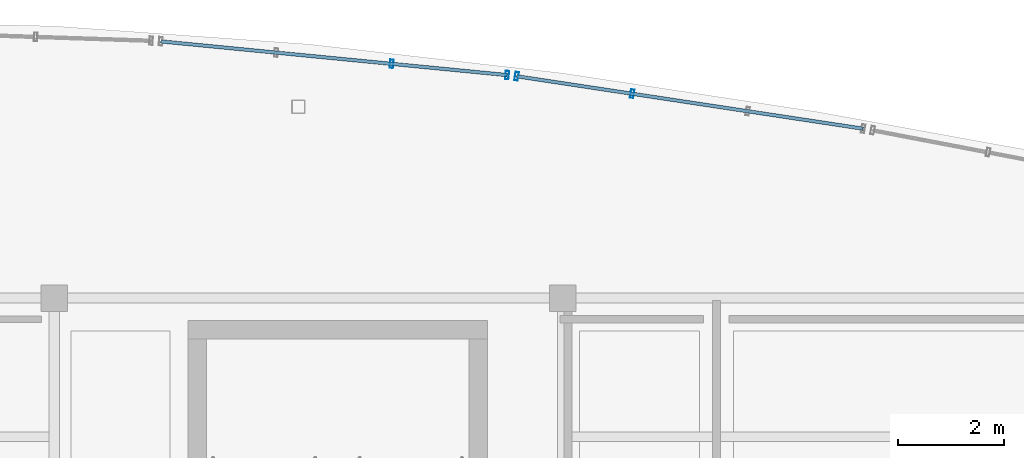
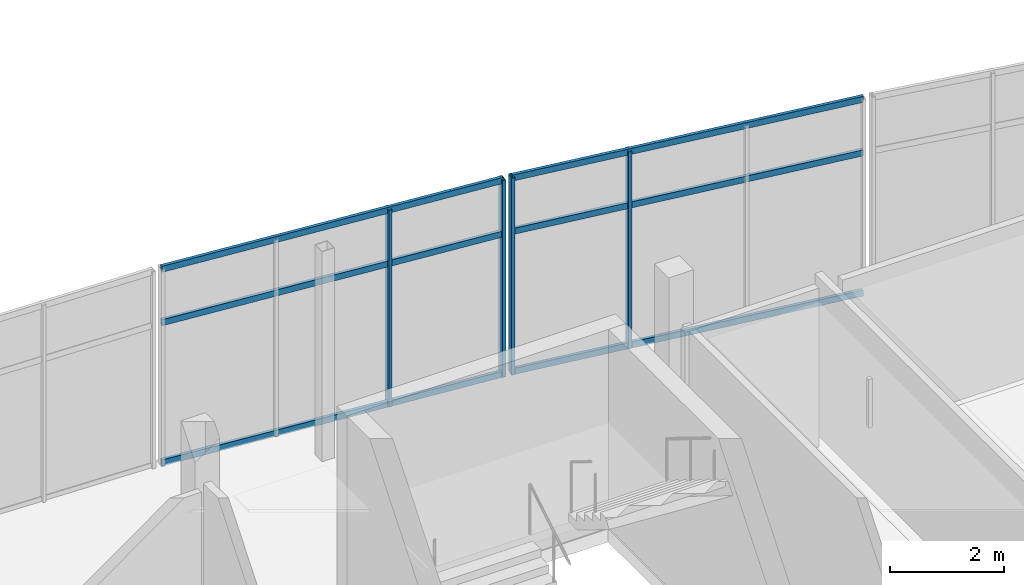
# One storey, part 78 of 114: 10 members, 2 elements without a shape of their own.
"""IFC4 building model written with IfcOpenShell, lengths in metres."""

import ifcopenshell
import ifcopenshell.guid

model = None  # the IFC model being written
_history = None  # IfcOwnerHistory: only IFC2X3 demands one
_inside = {}  # id of a spatial element -> (the spatial element, [elements in it])
_under = {}  # id of a project, library or spatial element -> (it, [spatial elements below it])
_declared = {}  # id of a project -> (the project, [libraries it declares])
_typed = {}  # id of a type object -> (the type object, [elements of that type])
_made_of = {}  # id of a material, layer set ... -> (it, [elements and type objects made of it])


def new_model(schema):
    """Start an empty IFC model of exactly this schema.

    Asked for "IFC4X3", IfcOpenShell would pick the latest addendum, in which some entities
    have other attributes; the version numbers below select the first issue.
    IFC2X3 requires an IfcOwnerHistory on every rooted entity: one is made here for all.
    """
    global model, _history
    if schema == "IFC4X3":
        model = ifcopenshell.file(schema_version=(4, 3, 0, 0))
    else:
        model = ifcopenshell.file(schema=schema)
    _inside.clear()
    _under.clear()
    _declared.clear()
    _typed.clear()
    _made_of.clear()
    _history = None
    if model.schema == "IFC2X3":
        org = make("IfcOrganization", Name="unknown")
        user = make(
            "IfcPersonAndOrganization",
            ThePerson=make("IfcPerson", FamilyName="unknown"),
            TheOrganization=org,
        )
        app = make(
            "IfcApplication",
            ApplicationDeveloper=org,
            Version="unknown",
            ApplicationFullName="unknown",
            ApplicationIdentifier="unknown",
        )
        _history = make(
            "IfcOwnerHistory",
            OwningUser=user,
            OwningApplication=app,
            ChangeAction="ADDED",
            CreationDate=0,
        )
    return model


def make(cls, **values):
    """One entity of the class cls with the attributes given. An attribute that is None is left unset."""
    return model.create_entity(
        cls, **{name: value for name, value in values.items() if value is not None}
    )


def rooted(cls, **values):
    """An entity with a GlobalId (a new one), such as an element, a storey or a relation."""
    return make(cls, GlobalId=ifcopenshell.guid.new(), OwnerHistory=_history, **values)


def si_unit(unit_type, name, prefix=None):
    """IfcSIUnit, for example si_unit("LENGTHUNIT", "METRE", prefix="MILLI")."""
    return make("IfcSIUnit", UnitType=unit_type, Prefix=prefix, Name=name)


def assignment(units):
    """IfcUnitAssignment: the units of a project."""
    return None if units is None else make("IfcUnitAssignment", Units=units)


def point(xyz):
    """IfcCartesianPoint."""
    return None if xyz is None else make("IfcCartesianPoint", Coordinates=xyz)


def direction(xyz):
    """IfcDirection."""
    return None if xyz is None else make("IfcDirection", DirectionRatios=xyz)


def frame(location, z_axis=None, x_axis=None):
    """IfcAxis2Placement3D, a coordinate frame: its origin and axes. An axis left out is left unset."""
    return make(
        "IfcAxis2Placement3D",
        Location=point(location),
        Axis=direction(z_axis),
        RefDirection=direction(x_axis),
    )


def frame_2d(location, x_axis=None):
    """IfcAxis2Placement2D, a coordinate frame in the plane: its origin and x axis."""
    return make(
        "IfcAxis2Placement2D", Location=point(location), RefDirection=direction(x_axis)
    )


def origin():
    """The frame at (0, 0, 0) with its axes left unset."""
    return frame((0.0, 0.0, 0.0))


def origin_2d():
    """The frame at (0, 0) in the plane with its x axis left unset."""
    return frame_2d((0.0, 0.0))


def place(relative_to, where):
    """IfcLocalPlacement: puts the frame where relative to a parent placement (None: the world)."""
    return make(
        "IfcLocalPlacement", PlacementRelTo=relative_to, RelativePlacement=where
    )


def context(
    kind, dimensions, precision=None, world=None, true_north=None, identifier=None
):
    """IfcGeometricRepresentationContext, for example the 3D "Model" context."""
    return make(
        "IfcGeometricRepresentationContext",
        ContextIdentifier=identifier,
        ContextType=kind,
        CoordinateSpaceDimension=dimensions,
        Precision=precision,
        WorldCoordinateSystem=world,
        TrueNorth=true_north,
    )


def subcontext(parent, identifier, kind, view, scale=None):
    """IfcGeometricRepresentationSubContext, for example "Body" below "Model"."""
    return make(
        "IfcGeometricRepresentationSubContext",
        ContextIdentifier=identifier,
        ContextType=kind,
        ParentContext=parent,
        TargetScale=scale,
        TargetView=view,
    )


def project(units=None, contexts=None):
    """IfcProject with its units and contexts."""
    return rooted(
        "IfcProject",
        Name="project",
        RepresentationContexts=contexts,
        UnitsInContext=assignment(units),
    )


def spatial(cls, under=None, at=None, **own):
    """A site, building, storey or space (cls), placed at a placement, below another one or the project."""
    s = rooted(cls, ObjectPlacement=at, **own)
    if under is not None:
        _under.setdefault(under.id(), (under, []))[1].append(s)
    return s


def profile(cls, at=None, kind="AREA", **sizes):
    """A parametric profile (cls). Its sizes go by their IFC names, for example OverallWidth=200.0."""
    return make(cls, ProfileType=kind, Position=at, **sizes)


def hollow_rectangle(**sizes):
    """IfcRectangleHollowProfileDef."""
    return profile("IfcRectangleHollowProfileDef", **sizes)


def extrude(swept, where, along, depth):
    """IfcExtrudedAreaSolid: the profile swept, set in the frame where, extruded along a direction by depth."""
    return make(
        "IfcExtrudedAreaSolid",
        SweptArea=swept,
        Position=where,
        ExtrudedDirection=direction(along),
        Depth=depth,
    )


def shape(context_of_items, identifier, shape_type, items):
    """IfcShapeRepresentation: the items that make up one representation, for example the "Body"."""
    return make(
        "IfcShapeRepresentation",
        ContextOfItems=context_of_items,
        RepresentationIdentifier=identifier,
        RepresentationType=shape_type,
        Items=items,
    )


def material(Name=None, Category=None):
    """IfcMaterial."""
    return make("IfcMaterial", Name=Name, Category=Category)


def layer(
    of_material, thickness, ventilated=None, Name=None, Category=None, Priority=None
):
    """IfcMaterialLayer: one layer of a wall or slab, of a material (None: an air gap)."""
    return make(
        "IfcMaterialLayer",
        Material=of_material,
        LayerThickness=thickness,
        IsVentilated=ventilated,
        Name=Name,
        Category=Category,
        Priority=Priority,
    )


def layer_set(layers, Name=None):
    """IfcMaterialLayerSet."""
    return make("IfcMaterialLayerSet", MaterialLayers=layers, LayerSetName=Name)


def material_profile(
    of_material, cross_section, Name=None, Category=None, Priority=None
):
    """IfcMaterialProfile: a cross section and its material."""
    return make(
        "IfcMaterialProfile",
        Name=Name,
        Material=of_material,
        Profile=cross_section,
        Priority=Priority,
        Category=Category,
    )


def profile_set(profiles, Name=None, composite=None):
    """IfcMaterialProfileSet."""
    return make(
        "IfcMaterialProfileSet",
        Name=Name,
        MaterialProfiles=profiles,
        CompositeProfile=composite,
    )


def made_of(thing, what):
    """Note that an element or type object is made of a material, layer set ...; save() writes the relation."""
    if what is not None:
        _made_of.setdefault(what.id(), (what, []))[1].append(thing)
    return thing


def type_object(cls, material=None, **own):
    """A type object (cls), such as IfcWallType, which elements share."""
    return made_of(rooted(cls, **own), material)


def element(
    cls,
    number,
    at=None,
    inside=None,
    cuts=None,
    type_object=None,
    material=None,
    context=None,
    identifier="Body",
    shape_type=None,
    held_by="IfcProductDefinitionShape",
    body=None,
    shapes=None,
    **own,
):
    """One element of the class cls, such as IfcWall. Its Tag is "e" and its number.

    at: its placement. inside: the storey or other place that contains it. cuts: it is an
    opening in that element (IfcRelVoidsElement). A single representation is given by context,
    identifier, shape_type and body (its items); several are given by shapes. held_by: the class
    of the entity that holds the representations. save() writes the other relations.
    """
    e = rooted(cls, Tag="e%d" % number, ObjectPlacement=at, **own)
    if body is not None:
        shapes = [shape(context, identifier, shape_type, body)]
    if shapes is not None:
        e.Representation = make(held_by, Representations=shapes)
    if inside is not None:
        _inside.setdefault(inside.id(), (inside, []))[1].append(e)
    if cuts is not None:
        rooted(
            "IfcRelVoidsElement", RelatingBuildingElement=cuts, RelatedOpeningElement=e
        )
    if type_object is not None:
        _typed.setdefault(type_object.id(), (type_object, []))[1].append(e)
    return made_of(e, material)


def aggregate(whole, parts):
    """IfcRelAggregates: a whole, such as a stair, and the parts it consists of."""
    return rooted("IfcRelAggregates", RelatingObject=whole, RelatedObjects=parts)


def save(model, path):
    """Write the relations noted so far, then the file.

    IfcRelAggregates (storeys below a building ...), IfcRelContainedInSpatialStructure (elements
    in a storey), IfcRelDefinesByType, IfcRelAssociatesMaterial and IfcRelDeclares: one each for
    every whole, place, type object, material and project.
    """
    for whole, parts in _under.values():
        aggregate(whole, parts)
    for where, things in _inside.values():
        rooted(
            "IfcRelContainedInSpatialStructure",
            RelatedElements=things,
            RelatingStructure=where,
        )
    for kind, things in _typed.values():
        rooted("IfcRelDefinesByType", RelatedObjects=things, RelatingType=kind)
    for what, things in _made_of.values():
        rooted("IfcRelAssociatesMaterial", RelatedObjects=things, RelatingMaterial=what)
    for by, libraries in _declared.values():
        rooted("IfcRelDeclares", RelatingContext=by, RelatedDefinitions=libraries)
    model.write(path)


model = new_model("IFC4")

# Units and contexts
model_context = context("Model", 3, precision=1e-05, world=origin(), true_north=direction((0.0, 1.0)))
body_context = subcontext(model_context, "Body", "Model", "MODEL_VIEW")
ifc_project = project(units=[si_unit("LENGTHUNIT", "METRE"), si_unit("AREAUNIT", "SQUARE_METRE"), si_unit("VOLUMEUNIT", "CUBIC_METRE"), si_unit("PLANEANGLEUNIT", "RADIAN"), si_unit("MASSUNIT", "GRAM", prefix="KILO")], contexts=[model_context])

# Site, building, storey
site_placement = place(None, origin())
site = spatial("IfcSite", under=ifc_project, at=site_placement, CompositionType="ELEMENT")
building_placement = place(site_placement, origin())
building = spatial("IfcBuilding", under=site, at=building_placement, Name="Chalmorin Arch Market", CompositionType="ELEMENT")
storey_placement = place(building_placement, frame((0.0, 0.0, 9.60009765625)))
storey = spatial("IfcBuildingStorey", under=building, at=storey_placement, Name="L02", CompositionType="ELEMENT", Elevation=9.60009765625)

# Curtain wall, members
ifc_material = material(Name="Aluminium 6063-T6", Category="aluminium")
ifc_layer_1 = layer(ifc_material, 0.159912109375)
ifc_layer_set_1 = layer_set([ifc_layer_1], Name="Aluminium 6063-T6")
curtain_wall_type_1 = type_object("IfcCurtainWallType", Name="CulinaryStudioCurtainWall-CW3-6570x4220", PredefinedType="NOTDEFINED", material=ifc_layer_set_1)
curtain_wall_1_placement = place(storey_placement, origin())
curtain_wall_1 = element("IfcCurtainWall", 1, at=curtain_wall_1_placement, inside=storey, type_object=curtain_wall_type_1, Name="CW-03-140", PredefinedType="NOTDEFINED")
ifc_material_profile_1 = material_profile(ifc_material, hollow_rectangle(XDim=0.06494140625, YDim=0.159912109375, WallThickness=0.00390625, at=origin_2d()), Name="ALU65X160X4")
ifc_profile_set_1 = profile_set([ifc_material_profile_1], Name="Aluminium 6063-T6")
member_type_1 = type_object("IfcMemberType", Name="CurtainWallMullion-65x160", PredefinedType="MULLION", material=ifc_profile_set_1)
member_1_placement = place(storey_placement, frame((92.77001953125, 122.421875, 0.0), z_axis=(0.0, 0.0, 1.0), x_axis=(0.994521895368, -0.104528463268, 0.0)))
member_1 = element("IfcMember", 2, at=member_1_placement, type_object=member_type_1, Name="ML-140-03", PredefinedType="MULLION", context=body_context, shape_type="SweptSolid", body=[
    extrude(hollow_rectangle(XDim=0.06494140625, YDim=0.159912109375, WallThickness=0.00390625, at=origin_2d()), origin(), (0.0, 0.0, 1.0), 4.219970703125),
])
member_2_placement = place(storey_placement, frame((94.950439453125, 122.209716796875, 0.0), z_axis=(0.0, 0.0, 1.0), x_axis=(0.994521895368, -0.104528463268, 0.0)))
member_2 = element("IfcMember", 3, at=member_2_placement, type_object=member_type_1, Name="ML-140-04", PredefinedType="MULLION", context=body_context, shape_type="SweptSolid", body=[
    extrude(hollow_rectangle(XDim=0.06494140625, YDim=0.159912109375, WallThickness=0.00390625, at=origin_2d()), origin(), (0.0, 0.0, 1.0), 4.219970703125),
])

ifc_layer_2 = layer(ifc_material, 0.159912109375)
ifc_layer_set_2 = layer_set([ifc_layer_2], Name="Aluminium 6063-T6")
curtain_wall_type_2 = type_object("IfcCurtainWallType", Name="CulinaryStudioCurtainWall-CW3-6620x4220", PredefinedType="NOTDEFINED", material=ifc_layer_set_2)
curtain_wall_2_placement = place(storey_placement, origin())
curtain_wall_2 = element("IfcCurtainWall", 4, at=curtain_wall_2_placement, inside=storey, type_object=curtain_wall_type_2, Name="CW-03-143", PredefinedType="NOTDEFINED")
member_3_placement = place(storey_placement, frame((95.12890625, 122.1875, 0.0), z_axis=(0.0, 0.0, 1.0), x_axis=(0.987688340595, -0.15643446504, 0.0)))
member_3 = element("IfcMember", 5, at=member_3_placement, type_object=member_type_1, Name="ML-143-01", PredefinedType="MULLION", context=body_context, shape_type="SweptSolid", body=[
    extrude(hollow_rectangle(XDim=0.06494140625, YDim=0.159912109375, WallThickness=0.00390625, at=origin_2d()), origin(), (0.0, 0.0, 1.0), 4.219970703125),
])
member_4_placement = place(storey_placement, frame((97.309814453125, 121.857421875, 0.0), z_axis=(0.0, 0.0, 1.0), x_axis=(0.987688340595, -0.15643446504, 0.0)))
member_4 = element("IfcMember", 6, at=member_4_placement, type_object=member_type_1, Name="ML-143-02", PredefinedType="MULLION", context=body_context, shape_type="SweptSolid", body=[
    extrude(hollow_rectangle(XDim=0.06494140625, YDim=0.159912109375, WallThickness=0.00390625, at=origin_2d()), origin(), (0.0, 0.0, 1.0), 4.219970703125),
])

# Member
ifc_material_profile_2 = material_profile(ifc_material, hollow_rectangle(XDim=0.06494140625, YDim=0.1298828125, WallThickness=0.00390625, at=origin_2d()), Name="ALU65X130X4")
ifc_profile_set_2 = profile_set([ifc_material_profile_2], Name="Aluminium 6063-T6")
member_type_2 = type_object("IfcMemberType", Name="CurtainWallTransom-65x130", PredefinedType="USERDEFINED", material=ifc_profile_set_2)
member_5_placement = place(storey_placement, frame((88.40966796875, 122.84619140625, 0.034912109375), z_axis=(0.995298859057, -0.096851335357, 0.0), x_axis=(0.096851335357, 0.995298859057, 0.0)))
member_5 = element("IfcMember", 7, at=member_5_placement, type_object=member_type_2, Name="TR-140-01", ObjectType="TRANSOM", PredefinedType="USERDEFINED", context=body_context, shape_type="SweptSolid", body=[
    extrude(hollow_rectangle(XDim=0.06494140625, YDim=0.1298828125, WallThickness=0.00390625, at=origin_2d()), origin(), (0.0, 0.0, 1.0), 6.57177734375),
])

member_6_placement = place(storey_placement, frame((88.40966796875, 122.84619140625, 3.038330078125), z_axis=(0.995298859057, -0.096851335357, 0.0), x_axis=(0.096851335357, 0.995298859057, 0.0)))
member_6 = element("IfcMember", 8, at=member_6_placement, type_object=member_type_2, Name="TR-140-02", ObjectType="TRANSOM", PredefinedType="USERDEFINED", context=body_context, shape_type="SweptSolid", body=[
    extrude(hollow_rectangle(XDim=0.06494140625, YDim=0.1298828125, WallThickness=0.00390625, at=origin_2d()), origin(), (0.0, 0.0, 1.0), 6.57177734375),
])

member_7_placement = place(storey_placement, frame((88.40966796875, 122.84619140625, 4.184814453125), z_axis=(0.995298859057, -0.096851335357, 0.0), x_axis=(0.096851335357, 0.995298859057, 0.0)))
member_7 = element("IfcMember", 9, at=member_7_placement, type_object=member_type_2, Name="TR-140-03", ObjectType="TRANSOM", PredefinedType="USERDEFINED", context=body_context, shape_type="SweptSolid", body=[
    extrude(hollow_rectangle(XDim=0.06494140625, YDim=0.1298828125, WallThickness=0.00390625, at=origin_2d()), origin(), (0.0, 0.0, 1.0), 6.57177734375),
])

aggregate(curtain_wall_1, [member_1, member_2, member_5, member_6, member_7])

member_8_placement = place(storey_placement, frame((95.12890625, 122.1875, 0.034912109375), z_axis=(0.988742814157, -0.149625022817, 0.0), x_axis=(0.149625022817, 0.988742814157, 0.0)))
member_8 = element("IfcMember", 10, at=member_8_placement, type_object=member_type_2, Name="TR-143-01", ObjectType="TRANSOM", PredefinedType="USERDEFINED", context=body_context, shape_type="SweptSolid", body=[
    extrude(hollow_rectangle(XDim=0.06494140625, YDim=0.1298828125, WallThickness=0.00390625, at=origin_2d()), origin(), (0.0, 0.0, 1.0), 6.616455078125),
])

member_9_placement = place(storey_placement, frame((95.12890625, 122.1875, 3.038330078125), z_axis=(0.988742814157, -0.149625022817, 0.0), x_axis=(0.149625022817, 0.988742814157, 0.0)))
member_9 = element("IfcMember", 11, at=member_9_placement, type_object=member_type_2, Name="TR-143-02", ObjectType="TRANSOM", PredefinedType="USERDEFINED", context=body_context, shape_type="SweptSolid", body=[
    extrude(hollow_rectangle(XDim=0.06494140625, YDim=0.1298828125, WallThickness=0.00390625, at=origin_2d()), origin(), (0.0, 0.0, 1.0), 6.616455078125),
])

member_10_placement = place(storey_placement, frame((95.12890625, 122.1875, 4.184814453125), z_axis=(0.988742814157, -0.149625022817, 0.0), x_axis=(0.149625022817, 0.988742814157, 0.0)))
member_10 = element("IfcMember", 12, at=member_10_placement, type_object=member_type_2, Name="TR-143-03", ObjectType="TRANSOM", PredefinedType="USERDEFINED", context=body_context, shape_type="SweptSolid", body=[
    extrude(hollow_rectangle(XDim=0.06494140625, YDim=0.1298828125, WallThickness=0.00390625, at=origin_2d()), origin(), (0.0, 0.0, 1.0), 6.616455078125),
])

aggregate(curtain_wall_2, [member_3, member_4, member_8, member_9, member_10])

save(model, "model.ifc")
